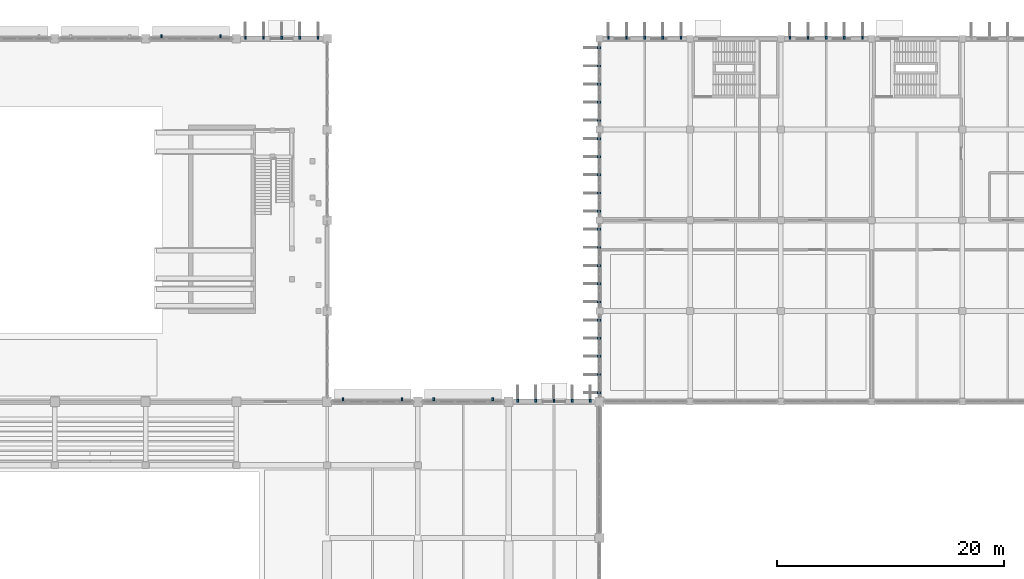
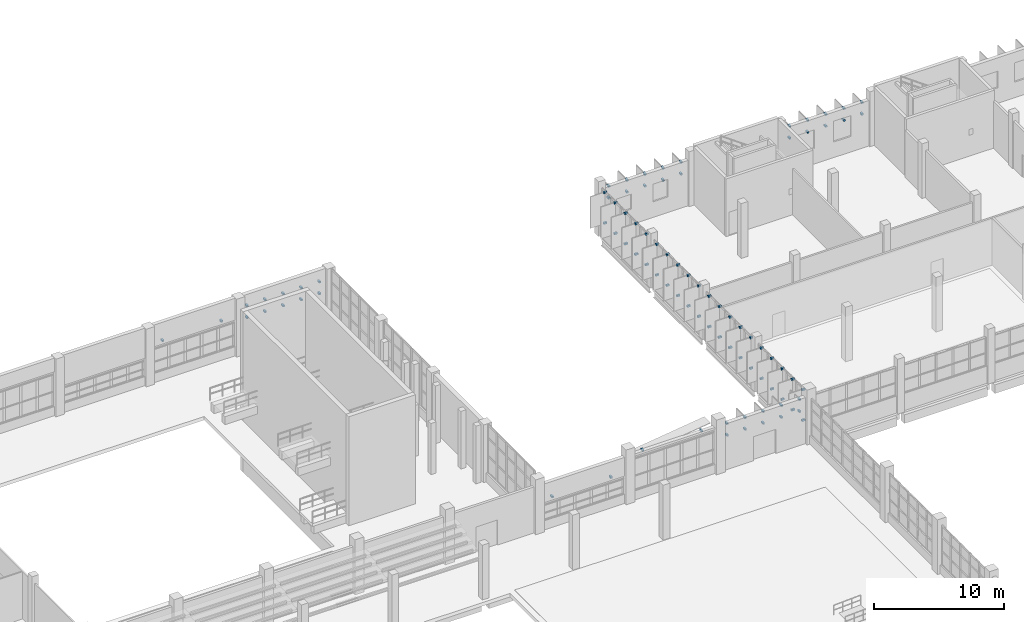
# One storey, part 91 of 103: 86 discrete accessories.
"""IFC4 building model written with IfcOpenShell, lengths in metres."""

from ifc_helpers import new_model, si_unit, direction, frame, origin, origin_2d, place, context, subcontext, project, spatial, rectangle, extrude, material, type_object, element, save


model = new_model("IFC4")

# Units and contexts
model_context = context("Model", 3, precision=1e-05, world=origin(), true_north=direction((0.0, 1.0)))
body_context = subcontext(model_context, "Body", "Model", "MODEL_VIEW")
ifc_project = project(units=[si_unit("LENGTHUNIT", "METRE"), si_unit("AREAUNIT", "SQUARE_METRE"), si_unit("VOLUMEUNIT", "CUBIC_METRE"), si_unit("PLANEANGLEUNIT", "RADIAN"), si_unit("MASSUNIT", "GRAM", prefix="KILO")], contexts=[model_context])

# Site, building, storey
site_placement = place(None, origin())
site = spatial("IfcSite", under=ifc_project, at=site_placement, CompositionType="ELEMENT")
building_placement = place(site_placement, origin())
building = spatial("IfcBuilding", under=site, at=building_placement, Name="Drelvana Railside Aquatics Centre", CompositionType="ELEMENT")
storey_placement = place(building_placement, origin())
storey = spatial("IfcBuildingStorey", under=building, at=storey_placement, Name="L00", CompositionType="ELEMENT", Elevation=0.0)

# Discrete accessories
ifc_material = material(Name="Stainless steel 316 facade bracket", Category="steel")
discrete_accessory_type = type_object("IfcDiscreteAccessoryType", Name="ACC-BRACKET-FIN", PredefinedType="BRACKET", material=ifc_material)
for number, where, z_axis, x_axis, name in (
    (1, (73.39990234375, 84.219970703125, 2.5302734375), (0.0, 0.0, 1.0), (1.0, 0.0, 0.0), "North eyelid bracket BK-0301"),
    (2, (78.60009765625, 84.219970703125, 2.5302734375), (0.0, 0.0, 1.0), (1.0, 0.0, 0.0), "North eyelid bracket BK-0302"),
    (3, (81.39990234375, 84.219970703125, 4.080078125), (0.0, 0.0, 1.0), (1.0, 0.0, 0.0), "North eyelid bracket BK-0313"),
    (4, (86.60009765625, 84.219970703125, 4.080078125), (0.0, 0.0, 1.0), (1.0, 0.0, 0.0), "North eyelid bracket BK-0314"),
):
    element("IfcDiscreteAccessory", number, at=place(storey_placement, frame(where, z_axis=z_axis, x_axis=x_axis)), inside=storey, type_object=discrete_accessory_type, Name=name, PredefinedType="BRACKET", context=body_context, shape_type="SweptSolid", body=[
        extrude(rectangle(XDim=0.159912109375, YDim=0.280029296875, at=origin_2d()), origin(), (0.0, 0.0, 1.0), 0.159912109375),
    ])
for number, where, z_axis, x_axis, name in (
    (5, (88.800048828125, 84.10009765625, 2.96484375), (0.0, 0.0, 1.0), (0.0, 1.0, 0.0), "Shading fin bracket BK-0325"),
    (6, (88.800048828125, 84.10009765625, 4.0751953125), (0.0, 0.0, 1.0), (0.0, 1.0, 0.0), "Shading fin bracket BK-0326"),
    (7, (90.39990234375, 84.10009765625, 2.96484375), (0.0, 0.0, 1.0), (0.0, 1.0, 0.0), "Shading fin bracket BK-0327"),
    (8, (90.39990234375, 84.10009765625, 4.0751953125), (0.0, 0.0, 1.0), (0.0, 1.0, 0.0), "Shading fin bracket BK-0328"),
    (9, (92.0, 84.10009765625, 2.96484375), (0.0, 0.0, 1.0), (0.0, 1.0, 0.0), "Shading fin bracket BK-0329"),
    (10, (92.0, 84.10009765625, 4.0751953125), (0.0, 0.0, 1.0), (0.0, 1.0, 0.0), "Shading fin bracket BK-0330"),
    (11, (93.60009765625, 84.10009765625, 2.96484375), (0.0, 0.0, 1.0), (0.0, 1.0, 0.0), "Shading fin bracket BK-0331"),
    (12, (93.60009765625, 84.10009765625, 4.0751953125), (0.0, 0.0, 1.0), (0.0, 1.0, 0.0), "Shading fin bracket BK-0332"),
    (13, (95.199951171875, 84.10009765625, 2.96484375), (0.0, 0.0, 1.0), (0.0, 1.0, 0.0), "Shading fin bracket BK-0333"),
    (14, (95.199951171875, 84.10009765625, 4.0751953125), (0.0, 0.0, 1.0), (0.0, 1.0, 0.0), "Shading fin bracket BK-0334"),
):
    element("IfcDiscreteAccessory", number, at=place(storey_placement, frame(where, z_axis=z_axis, x_axis=x_axis)), inside=storey, type_object=discrete_accessory_type, Name=name, PredefinedType="BRACKET", context=body_context, shape_type="SweptSolid", body=[
        extrude(rectangle(XDim=0.280029296875, YDim=0.159912109375, at=origin_2d()), origin(), (0.0, 0.0, 1.0), 0.159912109375),
    ])
for number, where, z_axis, x_axis, name in (
    (15, (57.39990234375, 116.219970703125, 3.330078125), (0.0, 0.0, 1.0), (1.0, 0.0, 0.0), "North eyelid bracket BK-0381"),
    (16, (62.60009765625, 116.219970703125, 3.330078125), (0.0, 0.0, 1.0), (1.0, 0.0, 0.0), "North eyelid bracket BK-0382"),
):
    element("IfcDiscreteAccessory", number, at=place(storey_placement, frame(where, z_axis=z_axis, x_axis=x_axis)), inside=storey, type_object=discrete_accessory_type, Name=name, PredefinedType="BRACKET", context=body_context, shape_type="SweptSolid", body=[
        extrude(rectangle(XDim=0.159912109375, YDim=0.280029296875, at=origin_2d()), origin(), (0.0, 0.0, 1.0), 0.159912109375),
    ])
for number, where, z_axis, x_axis, name in (
    (17, (64.800048828125, 116.10009765625, 2.96484375), (0.0, 0.0, 1.0), (0.0, 1.0, 0.0), "Shading fin bracket BK-0393"),
    (18, (64.800048828125, 116.10009765625, 4.0751953125), (0.0, 0.0, 1.0), (0.0, 1.0, 0.0), "Shading fin bracket BK-0394"),
    (19, (66.39990234375, 116.10009765625, 2.96484375), (0.0, 0.0, 1.0), (0.0, 1.0, 0.0), "Shading fin bracket BK-0395"),
    (20, (66.39990234375, 116.10009765625, 4.0751953125), (0.0, 0.0, 1.0), (0.0, 1.0, 0.0), "Shading fin bracket BK-0396"),
    (21, (68.0, 116.10009765625, 2.96484375), (0.0, 0.0, 1.0), (0.0, 1.0, 0.0), "Shading fin bracket BK-0397"),
    (22, (68.0, 116.10009765625, 4.0751953125), (0.0, 0.0, 1.0), (0.0, 1.0, 0.0), "Shading fin bracket BK-0398"),
    (23, (69.60009765625, 116.10009765625, 2.96484375), (0.0, 0.0, 1.0), (0.0, 1.0, 0.0), "Shading fin bracket BK-0399"),
    (24, (69.60009765625, 116.10009765625, 4.0751953125), (0.0, 0.0, 1.0), (0.0, 1.0, 0.0), "Shading fin bracket BK-0400"),
    (25, (71.199951171875, 116.10009765625, 2.96484375), (0.0, 0.0, 1.0), (0.0, 1.0, 0.0), "Shading fin bracket BK-0401"),
    (26, (71.199951171875, 116.10009765625, 4.0751953125), (0.0, 0.0, 1.0), (0.0, 1.0, 0.0), "Shading fin bracket BK-0402"),
    (27, (96.800048828125, 116.0849609375, 2.96484375), (0.0, 0.0, 1.0), (0.0, 1.0, 0.0), "Shading fin bracket BK-0945"),
    (28, (96.800048828125, 116.0849609375, 4.0751953125), (0.0, 0.0, 1.0), (0.0, 1.0, 0.0), "Shading fin bracket BK-0946"),
    (29, (98.39990234375, 116.0849609375, 2.96484375), (0.0, 0.0, 1.0), (0.0, 1.0, 0.0), "Shading fin bracket BK-0947"),
    (30, (98.39990234375, 116.0849609375, 4.0751953125), (0.0, 0.0, 1.0), (0.0, 1.0, 0.0), "Shading fin bracket BK-0948"),
    (31, (100.0, 116.0849609375, 2.96484375), (0.0, 0.0, 1.0), (0.0, 1.0, 0.0), "Shading fin bracket BK-0949"),
    (32, (100.0, 116.0849609375, 4.0751953125), (0.0, 0.0, 1.0), (0.0, 1.0, 0.0), "Shading fin bracket BK-0950"),
    (33, (101.60009765625, 116.0849609375, 2.96484375), (0.0, 0.0, 1.0), (0.0, 1.0, 0.0), "Shading fin bracket BK-0951"),
    (34, (101.60009765625, 116.0849609375, 4.0751953125), (0.0, 0.0, 1.0), (0.0, 1.0, 0.0), "Shading fin bracket BK-0952"),
    (35, (103.199951171875, 116.0849609375, 2.96484375), (0.0, 0.0, 1.0), (0.0, 1.0, 0.0), "Shading fin bracket BK-0953"),
    (36, (103.199951171875, 116.0849609375, 4.0751953125), (0.0, 0.0, 1.0), (0.0, 1.0, 0.0), "Shading fin bracket BK-0954"),
    (37, (112.800048828125, 116.0849609375, 2.96484375), (0.0, 0.0, 1.0), (0.0, 1.0, 0.0), "Shading fin bracket BK-0965"),
    (38, (112.800048828125, 116.0849609375, 4.0751953125), (0.0, 0.0, 1.0), (0.0, 1.0, 0.0), "Shading fin bracket BK-0966"),
    (39, (114.39990234375, 116.0849609375, 2.96484375), (0.0, 0.0, 1.0), (0.0, 1.0, 0.0), "Shading fin bracket BK-0967"),
    (40, (114.39990234375, 116.0849609375, 4.0751953125), (0.0, 0.0, 1.0), (0.0, 1.0, 0.0), "Shading fin bracket BK-0968"),
    (41, (116.0, 116.0849609375, 2.96484375), (0.0, 0.0, 1.0), (0.0, 1.0, 0.0), "Shading fin bracket BK-0969"),
    (42, (116.0, 116.0849609375, 4.0751953125), (0.0, 0.0, 1.0), (0.0, 1.0, 0.0), "Shading fin bracket BK-0970"),
    (43, (117.60009765625, 116.0849609375, 2.96484375), (0.0, 0.0, 1.0), (0.0, 1.0, 0.0), "Shading fin bracket BK-0971"),
    (44, (117.60009765625, 116.0849609375, 4.0751953125), (0.0, 0.0, 1.0), (0.0, 1.0, 0.0), "Shading fin bracket BK-0972"),
    (45, (119.199951171875, 116.0849609375, 2.96484375), (0.0, 0.0, 1.0), (0.0, 1.0, 0.0), "Shading fin bracket BK-0973"),
    (46, (119.199951171875, 116.0849609375, 4.0751953125), (0.0, 0.0, 1.0), (0.0, 1.0, 0.0), "Shading fin bracket BK-0974"),
    (47, (95.97509765625, 84.800048828125, 1.4150390625), (0.0, 0.0, 1.0), (-1.0, 0.0, 0.0), "Shading fin bracket BK-1005"),
    (48, (95.97509765625, 84.800048828125, 4.27490234375), (0.0, 0.0, 1.0), (-1.0, 0.0, 0.0), "Shading fin bracket BK-1006"),
    (49, (95.97509765625, 86.39990234375, 1.4150390625), (0.0, 0.0, 1.0), (-1.0, 0.0, 0.0), "Shading fin bracket BK-1007"),
    (50, (95.97509765625, 86.39990234375, 4.27490234375), (0.0, 0.0, 1.0), (-1.0, 0.0, 0.0), "Shading fin bracket BK-1008"),
    (51, (95.97509765625, 88.0, 1.4150390625), (0.0, 0.0, 1.0), (-1.0, 0.0, 0.0), "Shading fin bracket BK-1009"),
    (52, (95.97509765625, 88.0, 4.27490234375), (0.0, 0.0, 1.0), (-1.0, 0.0, 0.0), "Shading fin bracket BK-1010"),
    (53, (95.97509765625, 89.60009765625, 1.4150390625), (0.0, 0.0, 1.0), (-1.0, 0.0, 0.0), "Shading fin bracket BK-1011"),
    (54, (95.97509765625, 89.60009765625, 4.27490234375), (0.0, 0.0, 1.0), (-1.0, 0.0, 0.0), "Shading fin bracket BK-1012"),
    (55, (95.97509765625, 91.199951171875, 1.4150390625), (0.0, 0.0, 1.0), (-1.0, 0.0, 0.0), "Shading fin bracket BK-1013"),
    (56, (95.97509765625, 91.199951171875, 4.27490234375), (0.0, 0.0, 1.0), (-1.0, 0.0, 0.0), "Shading fin bracket BK-1014"),
    (57, (95.97509765625, 92.800048828125, 1.4150390625), (0.0, 0.0, 1.0), (-1.0, 0.0, 0.0), "Shading fin bracket BK-1025"),
    (58, (95.97509765625, 92.800048828125, 4.27490234375), (0.0, 0.0, 1.0), (-1.0, 0.0, 0.0), "Shading fin bracket BK-1026"),
    (59, (95.97509765625, 94.39990234375, 1.4150390625), (0.0, 0.0, 1.0), (-1.0, 0.0, 0.0), "Shading fin bracket BK-1027"),
    (60, (95.97509765625, 94.39990234375, 4.27490234375), (0.0, 0.0, 1.0), (-1.0, 0.0, 0.0), "Shading fin bracket BK-1028"),
    (61, (95.97509765625, 96.0, 1.4150390625), (0.0, 0.0, 1.0), (-1.0, 0.0, 0.0), "Shading fin bracket BK-1029"),
    (62, (95.97509765625, 96.0, 4.27490234375), (0.0, 0.0, 1.0), (-1.0, 0.0, 0.0), "Shading fin bracket BK-1030"),
    (63, (95.97509765625, 97.60009765625, 1.4150390625), (0.0, 0.0, 1.0), (-1.0, 0.0, 0.0), "Shading fin bracket BK-1031"),
    (64, (95.97509765625, 97.60009765625, 4.27490234375), (0.0, 0.0, 1.0), (-1.0, 0.0, 0.0), "Shading fin bracket BK-1032"),
    (65, (95.97509765625, 99.199951171875, 1.4150390625), (0.0, 0.0, 1.0), (-1.0, 0.0, 0.0), "Shading fin bracket BK-1033"),
    (66, (95.97509765625, 99.199951171875, 4.27490234375), (0.0, 0.0, 1.0), (-1.0, 0.0, 0.0), "Shading fin bracket BK-1034"),
    (67, (95.97509765625, 100.800048828125, 1.4150390625), (0.0, 0.0, 1.0), (-1.0, 0.0, 0.0), "Shading fin bracket BK-1045"),
    (68, (95.97509765625, 100.800048828125, 4.27490234375), (0.0, 0.0, 1.0), (-1.0, 0.0, 0.0), "Shading fin bracket BK-1046"),
    (69, (95.97509765625, 102.39990234375, 1.4150390625), (0.0, 0.0, 1.0), (-1.0, 0.0, 0.0), "Shading fin bracket BK-1047"),
    (70, (95.97509765625, 102.39990234375, 4.27490234375), (0.0, 0.0, 1.0), (-1.0, 0.0, 0.0), "Shading fin bracket BK-1048"),
    (71, (95.97509765625, 104.0, 1.4150390625), (0.0, 0.0, 1.0), (-1.0, 0.0, 0.0), "Shading fin bracket BK-1049"),
    (72, (95.97509765625, 104.0, 4.27490234375), (0.0, 0.0, 1.0), (-1.0, 0.0, 0.0), "Shading fin bracket BK-1050"),
    (73, (95.97509765625, 105.60009765625, 1.4150390625), (0.0, 0.0, 1.0), (-1.0, 0.0, 0.0), "Shading fin bracket BK-1051"),
    (74, (95.97509765625, 105.60009765625, 4.27490234375), (0.0, 0.0, 1.0), (-1.0, 0.0, 0.0), "Shading fin bracket BK-1052"),
    (75, (95.97509765625, 107.199951171875, 1.4150390625), (0.0, 0.0, 1.0), (-1.0, 0.0, 0.0), "Shading fin bracket BK-1053"),
    (76, (95.97509765625, 107.199951171875, 4.27490234375), (0.0, 0.0, 1.0), (-1.0, 0.0, 0.0), "Shading fin bracket BK-1054"),
    (77, (95.97509765625, 108.800048828125, 1.4150390625), (0.0, 0.0, 1.0), (-1.0, 0.0, 0.0), "Shading fin bracket BK-1065"),
    (78, (95.97509765625, 108.800048828125, 4.27490234375), (0.0, 0.0, 1.0), (-1.0, 0.0, 0.0), "Shading fin bracket BK-1066"),
    (79, (95.97509765625, 110.39990234375, 1.4150390625), (0.0, 0.0, 1.0), (-1.0, 0.0, 0.0), "Shading fin bracket BK-1067"),
    (80, (95.97509765625, 110.39990234375, 4.27490234375), (0.0, 0.0, 1.0), (-1.0, 0.0, 0.0), "Shading fin bracket BK-1068"),
    (81, (95.97509765625, 112.0, 1.4150390625), (0.0, 0.0, 1.0), (-1.0, 0.0, 0.0), "Shading fin bracket BK-1069"),
    (82, (95.97509765625, 112.0, 4.27490234375), (0.0, 0.0, 1.0), (-1.0, 0.0, 0.0), "Shading fin bracket BK-1070"),
    (83, (95.97509765625, 113.60009765625, 1.4150390625), (0.0, 0.0, 1.0), (-1.0, 0.0, 0.0), "Shading fin bracket BK-1071"),
    (84, (95.97509765625, 113.60009765625, 4.27490234375), (0.0, 0.0, 1.0), (-1.0, 0.0, 0.0), "Shading fin bracket BK-1072"),
    (85, (95.97509765625, 115.199951171875, 1.4150390625), (0.0, 0.0, 1.0), (-1.0, 0.0, 0.0), "Shading fin bracket BK-1073"),
    (86, (95.97509765625, 115.199951171875, 4.27490234375), (0.0, 0.0, 1.0), (-1.0, 0.0, 0.0), "Shading fin bracket BK-1074"),
):
    element("IfcDiscreteAccessory", number, at=place(storey_placement, frame(where, z_axis=z_axis, x_axis=x_axis)), inside=storey, type_object=discrete_accessory_type, Name=name, PredefinedType="BRACKET", context=body_context, shape_type="SweptSolid", body=[
        extrude(rectangle(XDim=0.280029296875, YDim=0.159912109375, at=origin_2d()), origin(), (0.0, 0.0, 1.0), 0.159912109375),
    ])

save(model, "model.ifc")
